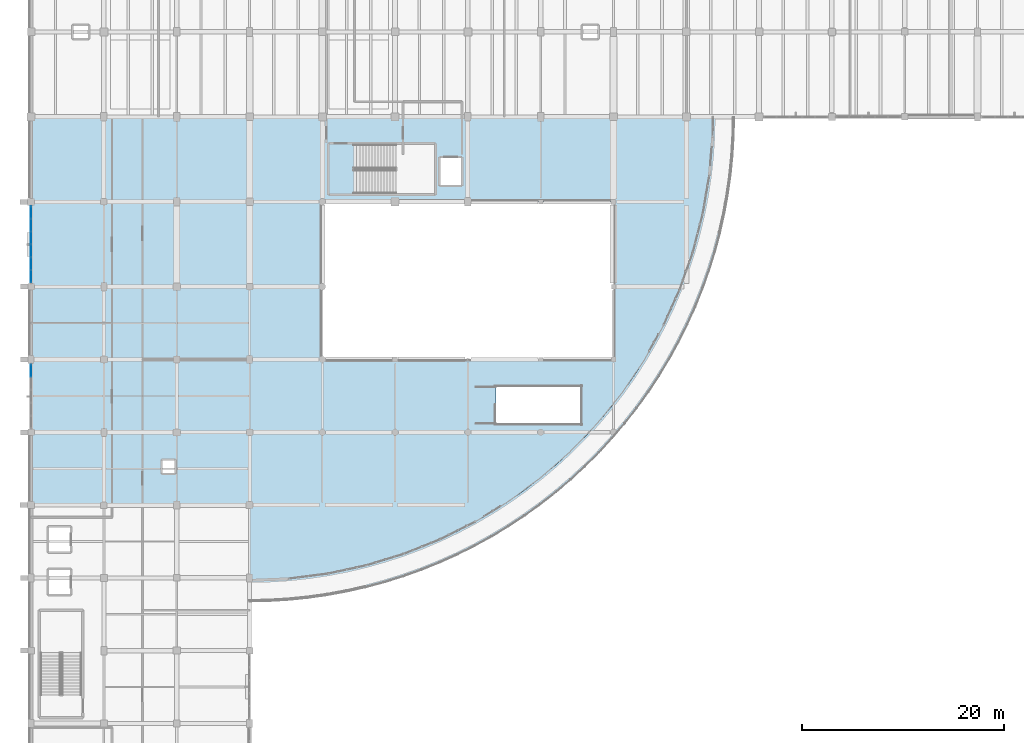
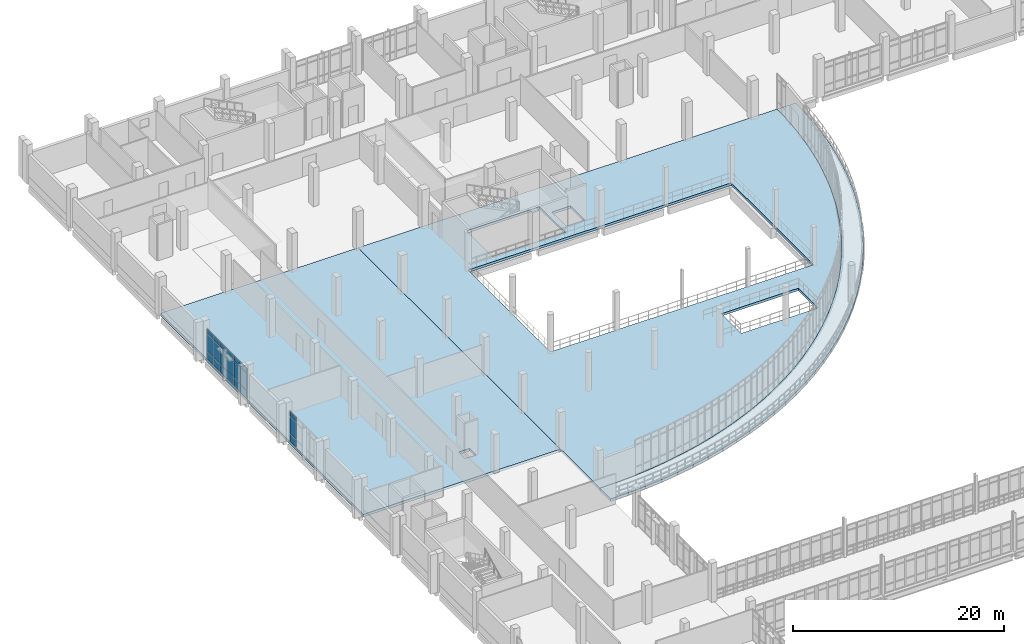
# One storey, part 93 of 116: 21 plates, 3 slabs, 2 elements without a shape of their own.
"""IFC4 building model written with IfcOpenShell, lengths in metres."""

from ifc_helpers import new_model, si_unit, direction, frame, origin, origin_2d, place, context, subcontext, project, spatial, polyline, rectangle, outline, extrude, material, layer, layer_set, type_object, element, aggregate, save


model = new_model("IFC4")

# Units and contexts
model_context = context("Model", 3, precision=1e-05, world=origin(), true_north=direction((0.0, 1.0)))
body_context = subcontext(model_context, "Body", "Model", "MODEL_VIEW")
ifc_project = project(units=[si_unit("LENGTHUNIT", "METRE"), si_unit("AREAUNIT", "SQUARE_METRE"), si_unit("VOLUMEUNIT", "CUBIC_METRE"), si_unit("PLANEANGLEUNIT", "RADIAN"), si_unit("MASSUNIT", "GRAM", prefix="KILO")], contexts=[model_context])

# Site, building, storey
site_placement = place(None, origin())
site = spatial("IfcSite", under=ifc_project, at=site_placement, CompositionType="ELEMENT")
building_placement = place(site_placement, origin())
building = spatial("IfcBuilding", under=site, at=building_placement, Name="Kalluvel Institute of Natural Sciences", CompositionType="ELEMENT")
storey_placement = place(building_placement, frame((0.0, 0.0, 14.39990234375)))
storey = spatial("IfcBuildingStorey", under=building, at=storey_placement, Name="L03", CompositionType="ELEMENT", Elevation=14.39990234375)

# Curtain wall, plates
ifc_material_1 = material(Name="Aluminium AW-6063 T6", Category="aluminium")
curtain_wall_type = type_object("IfcCurtainWallType", Name="CW-DRY-45", PredefinedType="USERDEFINED", material=ifc_material_1)
curtain_wall_1_placement = place(storey_placement, origin())
curtain_wall_1 = element("IfcCurtainWall", 1, at=curtain_wall_1_placement, inside=storey, type_object=curtain_wall_type, Name="L03 Gothic lancet curtain wall CWA-L03-X140-Y720", ObjectType="UNITISED LANCET FACADE", PredefinedType="USERDEFINED")
ifc_material_2 = material(Name="Solar-Control Low-E Laminated Glass", Category="glass")
ifc_layer_1 = layer(ifc_material_2, 0.031982421875)
ifc_layer_set_1 = layer_set([ifc_layer_1], Name="Solar-Control Low-E Laminated Glass")
plate_type = type_object("IfcPlateType", Name="CWP-DGU-32", PredefinedType="CURTAIN_PANEL", material=ifc_layer_set_1)
plate_1_placement = place(storey_placement, frame((14.0, 77.6962890625, 0.065185546875), z_axis=(0.0, 0.0, 1.0), x_axis=(0.0, 1.0, 0.0)))
plate_1 = element("IfcPlate", 2, at=plate_1_placement, type_object=plate_type, Name="CW-03 panel 5.1", PredefinedType="CURTAIN_PANEL", context=body_context, shape_type="SweptSolid", body=[
    extrude(rectangle(XDim=1.177490234375, YDim=0.031982421875, at=origin_2d()), origin(), (0.0, 0.0, 1.0), 0.8525390625),
])
plate_2_placement = place(storey_placement, frame((14.0, 77.6962890625, 0.982666015625), z_axis=(0.0, 0.0, 1.0), x_axis=(0.0, 1.0, 0.0)))
plate_2 = element("IfcPlate", 3, at=plate_2_placement, type_object=plate_type, Name="CW-03 panel 5.2", PredefinedType="CURTAIN_PANEL", context=body_context, shape_type="SweptSolid", body=[
    extrude(rectangle(XDim=1.177490234375, YDim=0.031982421875, at=origin_2d()), origin(), (0.0, 0.0, 1.0), 1.955078125),
])
plate_3_placement = place(storey_placement, frame((14.0, 77.6962890625, 3.00244140625), z_axis=(0.0, 0.0, 1.0), x_axis=(0.0, 1.0, 0.0)))
plate_3 = element("IfcPlate", 4, at=plate_3_placement, type_object=plate_type, Name="CW-03 panel 5.3", PredefinedType="CURTAIN_PANEL", context=body_context, shape_type="SweptSolid", body=[
    extrude(rectangle(XDim=1.177490234375, YDim=0.031982421875, at=origin_2d()), origin(), (0.0, 0.0, 1.0), 0.552490234375),
])
aggregate(curtain_wall_1, [plate_1, plate_2, plate_3])

curtain_wall_2_placement = place(storey_placement, origin())
curtain_wall_2 = element("IfcCurtainWall", 5, at=curtain_wall_2_placement, inside=storey, type_object=curtain_wall_type, Name="L03 Gothic lancet curtain wall CWA-L03-X140-Y864", ObjectType="UNITISED LANCET FACADE", PredefinedType="USERDEFINED")
plate_4_placement = place(storey_placement, frame((14.0, 87.026611328125, 0.065185546875), z_axis=(0.0, 0.0, 1.0), x_axis=(0.0, 1.0, 0.0)))
plate_4 = element("IfcPlate", 6, at=plate_4_placement, type_object=plate_type, Name="CW-03 panel 1.1", PredefinedType="CURTAIN_PANEL", context=body_context, shape_type="SweptSolid", body=[
    extrude(rectangle(XDim=1.17333984375, YDim=0.031982421875, at=origin_2d()), origin(), (0.0, 0.0, 1.0), 0.8525390625),
])
plate_5_placement = place(storey_placement, frame((14.0, 87.026611328125, 0.982666015625), z_axis=(0.0, 0.0, 1.0), x_axis=(0.0, 1.0, 0.0)))
plate_5 = element("IfcPlate", 7, at=plate_5_placement, type_object=plate_type, Name="CW-03 panel 1.2", PredefinedType="CURTAIN_PANEL", context=body_context, shape_type="SweptSolid", body=[
    extrude(rectangle(XDim=1.17333984375, YDim=0.031982421875, at=origin_2d()), origin(), (0.0, 0.0, 1.0), 1.955078125),
])
plate_6_placement = place(storey_placement, frame((14.0, 87.026611328125, 3.00244140625), z_axis=(0.0, 0.0, 1.0), x_axis=(0.0, 1.0, 0.0)))
plate_6 = element("IfcPlate", 8, at=plate_6_placement, type_object=plate_type, Name="CW-03 panel 1.3", PredefinedType="CURTAIN_PANEL", context=body_context, shape_type="SweptSolid", body=[
    extrude(rectangle(XDim=1.17333984375, YDim=0.031982421875, at=origin_2d()), origin(), (0.0, 0.0, 1.0), 0.552490234375),
])
plate_7_placement = place(storey_placement, frame((14.0, 88.28125, 0.065185546875), z_axis=(0.0, 0.0, 1.0), x_axis=(0.0, 1.0, 0.0)))
plate_7 = element("IfcPlate", 9, at=plate_7_placement, type_object=plate_type, Name="CW-03 panel 2.1", PredefinedType="CURTAIN_PANEL", context=body_context, shape_type="SweptSolid", body=[
    extrude(rectangle(XDim=1.205810546875, YDim=0.031982421875, at=origin_2d()), origin(), (0.0, 0.0, 1.0), 0.8525390625),
])
plate_8_placement = place(storey_placement, frame((14.0, 88.28125, 0.982666015625), z_axis=(0.0, 0.0, 1.0), x_axis=(0.0, 1.0, 0.0)))
plate_8 = element("IfcPlate", 10, at=plate_8_placement, type_object=plate_type, Name="CW-03 panel 2.2", PredefinedType="CURTAIN_PANEL", context=body_context, shape_type="SweptSolid", body=[
    extrude(rectangle(XDim=1.205810546875, YDim=0.031982421875, at=origin_2d()), origin(), (0.0, 0.0, 1.0), 1.955078125),
])
plate_9_placement = place(storey_placement, frame((14.0, 88.28125, 3.00244140625), z_axis=(0.0, 0.0, 1.0), x_axis=(0.0, 1.0, 0.0)))
plate_9 = element("IfcPlate", 11, at=plate_9_placement, type_object=plate_type, Name="CW-03 panel 2.3", PredefinedType="CURTAIN_PANEL", context=body_context, shape_type="SweptSolid", body=[
    extrude(rectangle(XDim=1.205810546875, YDim=0.031982421875, at=origin_2d()), origin(), (0.0, 0.0, 1.0), 0.552490234375),
])
plate_10_placement = place(storey_placement, frame((14.0, 89.552001953125, 0.065185546875), z_axis=(0.0, 0.0, 1.0), x_axis=(0.0, 1.0, 0.0)))
plate_10 = element("IfcPlate", 12, at=plate_10_placement, type_object=plate_type, Name="CW-03 panel 3.1", PredefinedType="CURTAIN_PANEL", context=body_context, shape_type="SweptSolid", body=[
    extrude(rectangle(XDim=1.205810546875, YDim=0.031982421875, at=origin_2d()), origin(), (0.0, 0.0, 1.0), 0.8525390625),
])
plate_11_placement = place(storey_placement, frame((14.0, 89.552001953125, 0.982666015625), z_axis=(0.0, 0.0, 1.0), x_axis=(0.0, 1.0, 0.0)))
plate_11 = element("IfcPlate", 13, at=plate_11_placement, type_object=plate_type, Name="CW-03 panel 3.2", PredefinedType="CURTAIN_PANEL", context=body_context, shape_type="SweptSolid", body=[
    extrude(rectangle(XDim=1.205810546875, YDim=0.031982421875, at=origin_2d()), origin(), (0.0, 0.0, 1.0), 1.955078125),
])
plate_12_placement = place(storey_placement, frame((14.0, 89.552001953125, 3.00244140625), z_axis=(0.0, 0.0, 1.0), x_axis=(0.0, 1.0, 0.0)))
plate_12 = element("IfcPlate", 14, at=plate_12_placement, type_object=plate_type, Name="CW-03 panel 3.3", PredefinedType="CURTAIN_PANEL", context=body_context, shape_type="SweptSolid", body=[
    extrude(rectangle(XDim=1.205810546875, YDim=0.031982421875, at=origin_2d()), origin(), (0.0, 0.0, 1.0), 0.552490234375),
])
plate_13_placement = place(storey_placement, frame((14.0, 90.822998046875, 0.065185546875), z_axis=(0.0, 0.0, 1.0), x_axis=(0.0, 1.0, 0.0)))
plate_13 = element("IfcPlate", 15, at=plate_13_placement, type_object=plate_type, Name="CW-03 panel 4.1", PredefinedType="CURTAIN_PANEL", context=body_context, shape_type="SweptSolid", body=[
    extrude(rectangle(XDim=1.205810546875, YDim=0.031982421875, at=origin_2d()), origin(), (0.0, 0.0, 1.0), 0.8525390625),
])
plate_14_placement = place(storey_placement, frame((14.0, 90.822998046875, 0.982666015625), z_axis=(0.0, 0.0, 1.0), x_axis=(0.0, 1.0, 0.0)))
plate_14 = element("IfcPlate", 16, at=plate_14_placement, type_object=plate_type, Name="CW-03 panel 4.2", PredefinedType="CURTAIN_PANEL", context=body_context, shape_type="SweptSolid", body=[
    extrude(rectangle(XDim=1.205810546875, YDim=0.031982421875, at=origin_2d()), origin(), (0.0, 0.0, 1.0), 1.955078125),
])
plate_15_placement = place(storey_placement, frame((14.0, 90.822998046875, 3.00244140625), z_axis=(0.0, 0.0, 1.0), x_axis=(0.0, 1.0, 0.0)))
plate_15 = element("IfcPlate", 17, at=plate_15_placement, type_object=plate_type, Name="CW-03 panel 4.3", PredefinedType="CURTAIN_PANEL", context=body_context, shape_type="SweptSolid", body=[
    extrude(rectangle(XDim=1.205810546875, YDim=0.031982421875, at=origin_2d()), origin(), (0.0, 0.0, 1.0), 0.552490234375),
])
plate_16_placement = place(storey_placement, frame((14.0, 92.09375, 0.065185546875), z_axis=(0.0, 0.0, 1.0), x_axis=(0.0, 1.0, 0.0)))
plate_16 = element("IfcPlate", 18, at=plate_16_placement, type_object=plate_type, Name="CW-03 panel 5.1", PredefinedType="CURTAIN_PANEL", context=body_context, shape_type="SweptSolid", body=[
    extrude(rectangle(XDim=1.205810546875, YDim=0.031982421875, at=origin_2d()), origin(), (0.0, 0.0, 1.0), 0.8525390625),
])
plate_17_placement = place(storey_placement, frame((14.0, 92.09375, 0.982666015625), z_axis=(0.0, 0.0, 1.0), x_axis=(0.0, 1.0, 0.0)))
plate_17 = element("IfcPlate", 19, at=plate_17_placement, type_object=plate_type, Name="CW-03 panel 5.2", PredefinedType="CURTAIN_PANEL", context=body_context, shape_type="SweptSolid", body=[
    extrude(rectangle(XDim=1.205810546875, YDim=0.031982421875, at=origin_2d()), origin(), (0.0, 0.0, 1.0), 1.955078125),
])
plate_18_placement = place(storey_placement, frame((14.0, 92.09375, 3.00244140625), z_axis=(0.0, 0.0, 1.0), x_axis=(0.0, 1.0, 0.0)))
plate_18 = element("IfcPlate", 20, at=plate_18_placement, type_object=plate_type, Name="CW-03 panel 5.3", PredefinedType="CURTAIN_PANEL", context=body_context, shape_type="SweptSolid", body=[
    extrude(rectangle(XDim=1.205810546875, YDim=0.031982421875, at=origin_2d()), origin(), (0.0, 0.0, 1.0), 0.552490234375),
])
plate_19_placement = place(storey_placement, frame((14.0, 93.348388671875, 0.065185546875), z_axis=(0.0, 0.0, 1.0), x_axis=(0.0, 1.0, 0.0)))
plate_19 = element("IfcPlate", 21, at=plate_19_placement, type_object=plate_type, Name="CW-03 panel 6.1", PredefinedType="CURTAIN_PANEL", context=body_context, shape_type="SweptSolid", body=[
    extrude(rectangle(XDim=1.17333984375, YDim=0.031982421875, at=origin_2d()), origin(), (0.0, 0.0, 1.0), 0.8525390625),
])
plate_20_placement = place(storey_placement, frame((14.0, 93.348388671875, 0.982666015625), z_axis=(0.0, 0.0, 1.0), x_axis=(0.0, 1.0, 0.0)))
plate_20 = element("IfcPlate", 22, at=plate_20_placement, type_object=plate_type, Name="CW-03 panel 6.2", PredefinedType="CURTAIN_PANEL", context=body_context, shape_type="SweptSolid", body=[
    extrude(rectangle(XDim=1.17333984375, YDim=0.031982421875, at=origin_2d()), origin(), (0.0, 0.0, 1.0), 1.955078125),
])
plate_21_placement = place(storey_placement, frame((14.0, 93.348388671875, 3.00244140625), z_axis=(0.0, 0.0, 1.0), x_axis=(0.0, 1.0, 0.0)))
plate_21 = element("IfcPlate", 23, at=plate_21_placement, type_object=plate_type, Name="CW-03 panel 6.3", PredefinedType="CURTAIN_PANEL", context=body_context, shape_type="SweptSolid", body=[
    extrude(rectangle(XDim=1.17333984375, YDim=0.031982421875, at=origin_2d()), origin(), (0.0, 0.0, 1.0), 0.552490234375),
])
aggregate(curtain_wall_2, [plate_4, plate_5, plate_6, plate_7, plate_8, plate_9, plate_10, plate_11, plate_12, plate_13, plate_14, plate_15, plate_16, plate_17, plate_18, plate_19, plate_20, plate_21])

# Slabs
ifc_material_3 = material(Name="Concrete M40", Category="concrete")
ifc_layer_2 = layer(ifc_material_3, 0.280029296875)
ifc_layer_set_2 = layer_set([ifc_layer_2], Name="Concrete M40")
slab_type_1 = type_object("IfcSlabType", Name="SLB-ATR-280", PredefinedType="FLOOR", material=ifc_layer_set_2)
slab_1_placement = place(storey_placement, frame((0.0, 0.0, -0.27978515625)))
element("IfcSlab", 24, at=slab_1_placement, inside=storey, type_object=slab_type_1, Name="L03 Interaction Atrium Gallery Slab", PredefinedType="FLOOR", context=body_context, shape_type="SweptSolid", body=[
    extrude(outline(polyline([(35.60009765625, 102.800048828125), (35.60009765625, 56.949951171875), (37.5458984375, 56.9912109375), (39.48828125, 57.115234375), (41.423828125, 57.3212890625), (43.3486328125, 57.609619140625), (45.259521484375, 57.97900390625), (47.1533203125, 58.429443359375), (49.02587890625, 58.959716796875), (50.87451171875, 59.569091796875), (52.695556640625, 60.25634765625), (54.485595703125, 61.020263671875), (56.24169921875, 61.859375), (57.960693359375, 62.772216796875), (59.639404296875, 63.75732421875), (61.27490234375, 64.812744140625), (62.864013671875, 65.936767578125), (64.40380859375, 67.127197265625), (65.891845703125, 68.381591796875), (67.325439453125, 69.6982421875), (68.70166015625, 71.07470703125), (70.018310546875, 72.508056640625), (71.27294921875, 73.99609375), (72.46337890625, 75.5361328125), (73.587158203125, 77.125244140625), (74.642578125, 78.760498046875), (75.627685546875, 80.439208984375), (76.540771484375, 82.158203125), (77.3798828125, 83.914306640625), (78.143798828125, 85.70458984375), (78.830810546875, 87.525390625), (79.440185546875, 89.3740234375), (79.970703125, 91.246826171875), (80.4208984375, 93.140380859375), (80.79052734375, 95.05126953125), (81.07861328125, 96.976318359375), (81.284912109375, 98.91162109375), (81.40869140625, 100.85400390625), (81.449951171875, 102.800048828125), (35.60009765625, 102.800048828125)]), holes=[polyline([(45.91796875, 95.199951171875), (53.89990234375, 95.199951171875), (53.89990234375, 100.070068359375), (45.91796875, 100.070068359375), (45.91796875, 95.199951171875)]), polyline([(59.968017578125, 72.39990234375), (68.39990234375, 72.39990234375), (68.39990234375, 76.14990234375), (59.968017578125, 76.14990234375), (59.968017578125, 72.39990234375)]), polyline([(54.47998046875, 96.080078125), (56.52001953125, 96.080078125), (56.52001953125, 98.719970703125), (54.47998046875, 98.719970703125), (54.47998046875, 96.080078125)]), polyline([(42.800048828125, 78.800048828125), (71.60009765625, 78.800048828125), (71.60009765625, 94.39990234375), (42.800048828125, 94.39990234375), (42.800048828125, 78.800048828125)])]), origin(), (0.0, 0.0, 1.0), 0.27978515625),
])
ifc_layer_3 = layer(ifc_material_3, 0.300048828125)
ifc_layer_set_3 = layer_set([ifc_layer_3], Name="Concrete M40")
slab_type_2 = type_object("IfcSlabType", Name="SLB-DRY-300", PredefinedType="FLOOR", material=ifc_layer_set_3)
slab_2_placement = place(storey_placement, frame((0.0, 0.0, -0.2998046875)))
element("IfcSlab", 25, at=slab_2_placement, inside=storey, type_object=slab_type_2, Name="L03 Dry Laboratory Floor Slab N", PredefinedType="FLOOR", context=body_context, shape_type="SweptSolid", body=[
    extrude(outline(polyline([(14.0, 64.39990234375), (35.60009765625, 64.39990234375), (35.60009765625, 102.800048828125), (14.0, 102.800048828125), (14.0, 64.39990234375)]), holes=[polyline([(27.0, 67.60009765625), (27.0, 68.800048828125), (28.199951171875, 68.800048828125), (28.199951171875, 67.60009765625), (27.0, 67.60009765625)])]), origin(), (0.0, 0.0, 1.0), 0.2998046875),
])
ifc_material_4 = material(Name="Sadarahalli Granite Precast Concrete M45", Category="masonry")
ifc_layer_4 = layer(ifc_material_4, 0.320068359375)
ifc_layer_set_4 = layer_set([ifc_layer_4], Name="Sadarahalli Granite Precast Concrete M45")
slab_type_3 = type_object("IfcSlabType", Name="SLB-TER-320", PredefinedType="FLOOR", material=ifc_layer_set_4)
slab_3_placement = place(storey_placement, frame((0.0, 0.0, -0.31982421875)))
element("IfcSlab", 26, at=slab_3_placement, inside=storey, type_object=slab_type_3, Name="L03 Unbroken Curved Stepped Planted Atrium Terrace Slab", PredefinedType="FLOOR", context=body_context, shape_type="SweptSolid", body=[
    extrude(outline(polyline([(35.60009765625, 54.89990234375), (37.52880859375, 54.938720703125), (39.454345703125, 55.055419921875), (41.373779296875, 55.249267578125), (43.28369140625, 55.520263671875), (45.18115234375, 55.867919921875), (47.063232421875, 56.2919921875), (48.926513671875, 56.791259765625), (50.768310546875, 57.364990234375), (52.585693359375, 58.0126953125), (54.375244140625, 58.73291015625), (56.134521484375, 59.524658203125), (57.860107421875, 60.38671875), (59.550048828125, 61.3173828125), (61.200927734375, 62.3154296875), (62.810302734375, 63.379150390625), (64.37548828125, 64.506591796875), (65.89404296875, 65.6962890625), (67.363525390625, 66.9462890625), (68.781494140625, 68.25439453125), (70.1455078125, 69.618408203125), (71.45361328125, 71.036376953125), (72.70361328125, 72.505859375), (73.893310546875, 74.0244140625), (75.02099609375, 75.589599609375), (76.084716796875, 77.19921875), (77.08251953125, 78.85009765625), (78.01318359375, 80.539794921875), (78.875244140625, 82.265625), (79.6669921875, 84.02490234375), (80.38720703125, 85.814453125), (81.034912109375, 87.631591796875), (81.60888671875, 89.473388671875), (82.108154296875, 91.3369140625), (82.531982421875, 93.21875), (82.879638671875, 95.1162109375), (83.15087890625, 97.0263671875), (83.3447265625, 98.94580078125), (83.461181640625, 100.871337890625), (83.5, 102.800048828125), (81.449951171875, 102.800048828125), (81.40869140625, 100.85400390625), (81.284912109375, 98.91162109375), (81.07861328125, 96.976318359375), (80.79052734375, 95.05126953125), (80.4208984375, 93.140380859375), (79.970703125, 91.246826171875), (79.440185546875, 89.3740234375), (78.830810546875, 87.525390625), (78.143798828125, 85.70458984375), (77.3798828125, 83.914306640625), (76.540771484375, 82.158203125), (75.627685546875, 80.439208984375), (74.642578125, 78.760498046875), (73.587158203125, 77.125244140625), (72.46337890625, 75.5361328125), (71.27294921875, 73.99609375), (70.018310546875, 72.508056640625), (68.70166015625, 71.07470703125), (67.325439453125, 69.6982421875), (65.891845703125, 68.381591796875), (64.40380859375, 67.127197265625), (62.864013671875, 65.936767578125), (61.27490234375, 64.812744140625), (59.639404296875, 63.75732421875), (57.960693359375, 62.772216796875), (56.24169921875, 61.859375), (54.485595703125, 61.020263671875), (52.695556640625, 60.25634765625), (50.87451171875, 59.569091796875), (49.02587890625, 58.959716796875), (47.1533203125, 58.429443359375), (45.259521484375, 57.97900390625), (43.3486328125, 57.609619140625), (41.423828125, 57.3212890625), (39.48828125, 57.115234375), (37.5458984375, 56.9912109375), (35.60009765625, 56.949951171875), (35.60009765625, 54.89990234375)])), origin(), (0.0, 0.0, 1.0), 0.31982421875),
])

save(model, "model.ifc")
